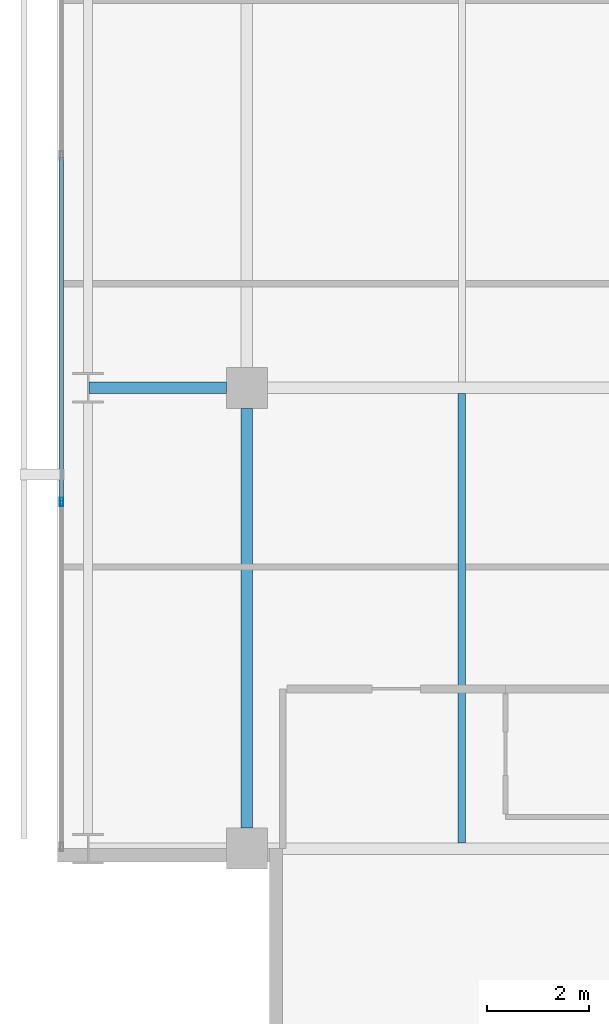
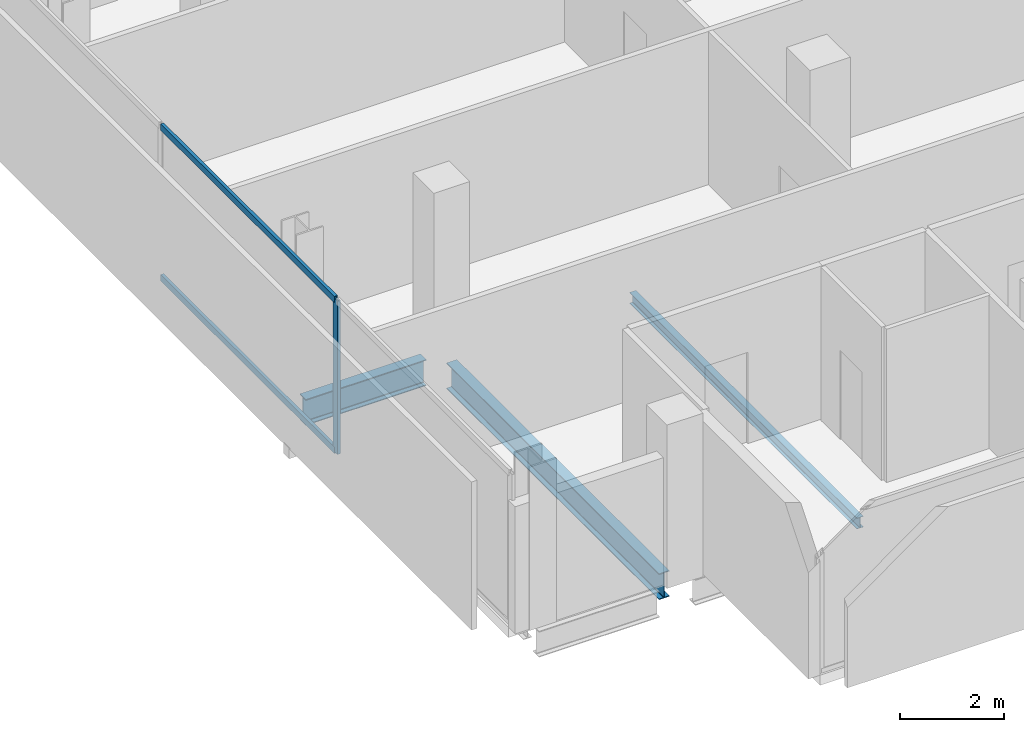
# One storey, part 4 of 33: 3 beams, 3 members, 1 element without a shape of its own.
"""IFC4 building model written with IfcOpenShell, lengths in metres."""

from ifc_helpers import new_model, si_unit, direction, frame, origin, origin_2d, place, context, subcontext, project, spatial, hollow_rectangle, i_section, extrude, material, layer, layer_set, material_profile, profile_set, type_object, element, aggregate, save


model = new_model("IFC4")

# Units and contexts
model_context = context("Model", 3, precision=1e-05, world=origin(), true_north=direction((0.0, 1.0)))
body_context = subcontext(model_context, "Body", "Model", "MODEL_VIEW")
ifc_project = project(units=[si_unit("LENGTHUNIT", "METRE"), si_unit("AREAUNIT", "SQUARE_METRE"), si_unit("VOLUMEUNIT", "CUBIC_METRE"), si_unit("PLANEANGLEUNIT", "RADIAN"), si_unit("MASSUNIT", "GRAM", prefix="KILO")], contexts=[model_context])

# Site, building, storey
site_placement = place(None, origin())
site = spatial("IfcSite", under=ifc_project, at=site_placement, CompositionType="ELEMENT")
building_placement = place(site_placement, origin())
building = spatial("IfcBuilding", under=site, at=building_placement, Name="Maruvema Waterfront Hotel and Observation Tower", CompositionType="ELEMENT")
storey_placement = place(building_placement, frame((0.0, 0.0, 150.5)))
storey = spatial("IfcBuildingStorey", under=building, at=storey_placement, Name="L36", CompositionType="ELEMENT", Elevation=150.5)

# Curtain wall, members
ifc_material_1 = material(Name="Anodised bronze aluminium and solar-control low-E IGU", Category="aluminium")
ifc_layer = layer(ifc_material_1, 0.159912109375, Name="Zone 2 Amber Inner Thermal Curtain Wall System CW-03")
ifc_layer_set = layer_set([ifc_layer], Name="Anodised bronze aluminium and solar-control low-E IGU")
curtain_wall_type = type_object("IfcCurtainWallType", Name="Zone 2 Amber Inner Thermal Curtain Wall System CW-03", PredefinedType="USERDEFINED", material=ifc_layer_set)
curtain_wall_placement = place(storey_placement, origin())
curtain_wall = element("IfcCurtainWall", 1, at=curtain_wall_placement, inside=storey, type_object=curtain_wall_type, Name="L36 Curtain Wall CW-L36-W", ObjectType="UNITISED CURTAIN WALL", PredefinedType="USERDEFINED")
ifc_material_2 = material(Name="Anodised architectural bronze aluminium", Category="aluminium")
ifc_material_profile_1 = material_profile(ifc_material_2, hollow_rectangle(XDim=0.070068359375, YDim=0.14990234375, WallThickness=0.00390625, at=origin_2d()), Name="ALU-T70x150")
ifc_profile_set_1 = profile_set([ifc_material_profile_1], Name="Anodised architectural bronze aluminium")
member_type_1 = type_object("IfcMemberType", Name="Curtain Wall Horizontal Transom ALU-T70x150", PredefinedType="USERDEFINED", material=ifc_profile_set_1)
member_1_placement = place(storey_placement, frame((13.179931640625, 22.50341796875, 0.030029296875), z_axis=(0.0, -1.0, 0.0), x_axis=(1.0, 0.0, 0.0)))
member_1 = element("IfcMember", 2, at=member_1_placement, type_object=member_type_1, Name="CW-03 transom 5.1", ObjectType="TRANSOM", PredefinedType="USERDEFINED", context=body_context, shape_type="SweptSolid", body=[
    extrude(hollow_rectangle(XDim=0.070068359375, YDim=0.14990234375, WallThickness=0.00390625, at=origin_2d()), origin(), (0.0, 0.0, 1.0), 6.706787109375),
])
member_2_placement = place(storey_placement, frame((13.179931640625, 22.50341796875, 3.580078125), z_axis=(0.0, -1.0, 0.0), x_axis=(1.0, 0.0, 0.0)))
member_2 = element("IfcMember", 3, at=member_2_placement, type_object=member_type_1, Name="CW-03 transom 5.2", ObjectType="TRANSOM", PredefinedType="USERDEFINED", context=body_context, shape_type="SweptSolid", body=[
    extrude(hollow_rectangle(XDim=0.070068359375, YDim=0.14990234375, WallThickness=0.00390625, at=origin_2d()), origin(), (0.0, 0.0, 1.0), 6.706787109375),
])
ifc_material_3 = material(Name="Anodised architectural bronze aluminium", Category="aluminium")
ifc_material_profile_2 = material_profile(ifc_material_3, hollow_rectangle(XDim=0.06494140625, YDim=0.1650390625, WallThickness=0.00390625, at=origin_2d()), Name="ALU-M65x165")
ifc_profile_set_2 = profile_set([ifc_material_profile_2], Name="Anodised architectural bronze aluminium")
member_type_2 = type_object("IfcMemberType", Name="Curtain Wall Primary Mullion ALU-M65x165", PredefinedType="MULLION", material=ifc_profile_set_2)
member_3_placement = place(storey_placement, frame((13.179931640625, 15.7666015625, 0.0), z_axis=(0.0, 0.0, 1.0), x_axis=(1.0, 0.0, 0.0)))
member_3 = element("IfcMember", 4, at=member_3_placement, type_object=member_type_2, Name="CW-03 mullion 6", PredefinedType="MULLION", context=body_context, shape_type="SweptSolid", body=[
    extrude(hollow_rectangle(XDim=0.06494140625, YDim=0.1650390625, WallThickness=0.00390625, at=origin_2d()), origin(), (0.0, 0.0, 1.0), 3.610107421875),
])
aggregate(curtain_wall, [member_3, member_1, member_2])

# Beams
ifc_material_4 = material(Name="Steel ASTM A572 Grade 50", Category="steel")
ifc_material_profile_3 = material_profile(ifc_material_4, i_section(OverallWidth=0.22900390625, OverallDepth=0.612060546875, WebThickness=0.011962890625, FlangeThickness=0.01953125, FilletRadius=0.01806640625, at=origin_2d()), Name="W610x125.0")
ifc_profile_set_3 = profile_set([ifc_material_profile_3], Name="Steel ASTM A572 Grade 50")
beam_type_1 = type_object("IfcBeamType", Name="Primary Floor Girder W610x125.0", PredefinedType="BEAM", material=ifc_profile_set_3)
beam_1_placement = place(storey_placement, frame((13.71240234375, 18.0, -0.5458984375), z_axis=(1.0, 0.0, 0.0), x_axis=(0.0, 1.0, 0.0)))
element("IfcBeam", 5, at=beam_1_placement, inside=storey, type_object=beam_type_1, Name="L36 Floor Girder EW-11", PredefinedType="BEAM", context=body_context, shape_type="SweptSolid", body=[
    extrude(i_section(OverallWidth=0.22900390625, OverallDepth=0.612060546875, WebThickness=0.011962890625, FlangeThickness=0.01953125, FilletRadius=0.01806640625, at=origin_2d()), origin(), (0.0, 0.0, 1.0), 2.6875),
])
beam_2_placement = place(storey_placement, frame((16.800048828125, 9.39990234375, -0.5458984375), z_axis=(0.0, 1.0, 0.0), x_axis=(-1.0, 0.0, 0.0)))
element("IfcBeam", 6, at=beam_2_placement, inside=storey, type_object=beam_type_1, Name="L36 Floor Girder NS-05", PredefinedType="BEAM", context=body_context, shape_type="SweptSolid", body=[
    extrude(i_section(OverallWidth=0.22900390625, OverallDepth=0.612060546875, WebThickness=0.011962890625, FlangeThickness=0.01953125, FilletRadius=0.01806640625, at=origin_2d()), origin(), (0.0, 0.0, 1.0), 8.2001953125),
])
ifc_material_5 = material(Name="Steel ASTM A572 Grade 50", Category="steel")
ifc_material_profile_4 = material_profile(ifc_material_5, i_section(OverallWidth=0.14599609375, OverallDepth=0.258056640625, WebThickness=0.006103515625, FlangeThickness=0.009033203125, FilletRadius=0.012939453125, at=origin_2d()), Name="W250x32.7")
ifc_profile_set_4 = profile_set([ifc_material_profile_4], Name="Steel ASTM A572 Grade 50")
beam_type_2 = type_object("IfcBeamType", Name="Secondary Floor Joist W250x32.7", PredefinedType="JOIST", material=ifc_profile_set_4)
beam_3_placement = place(storey_placement, frame((21.0, 9.114501953125, -0.368896484375), z_axis=(0.0, 1.0, 0.0), x_axis=(-1.0, 0.0, 0.0)))
element("IfcBeam", 7, at=beam_3_placement, inside=storey, type_object=beam_type_2, Name="L36 Secondary Floor Joist JS-01", PredefinedType="JOIST", context=body_context, shape_type="SweptSolid", body=[
    extrude(i_section(OverallWidth=0.14599609375, OverallDepth=0.258056640625, WebThickness=0.006103515625, FlangeThickness=0.009033203125, FilletRadius=0.012939453125, at=origin_2d()), origin(), (0.0, 0.0, 1.0), 8.77099609375),
])

save(model, "model.ifc")
